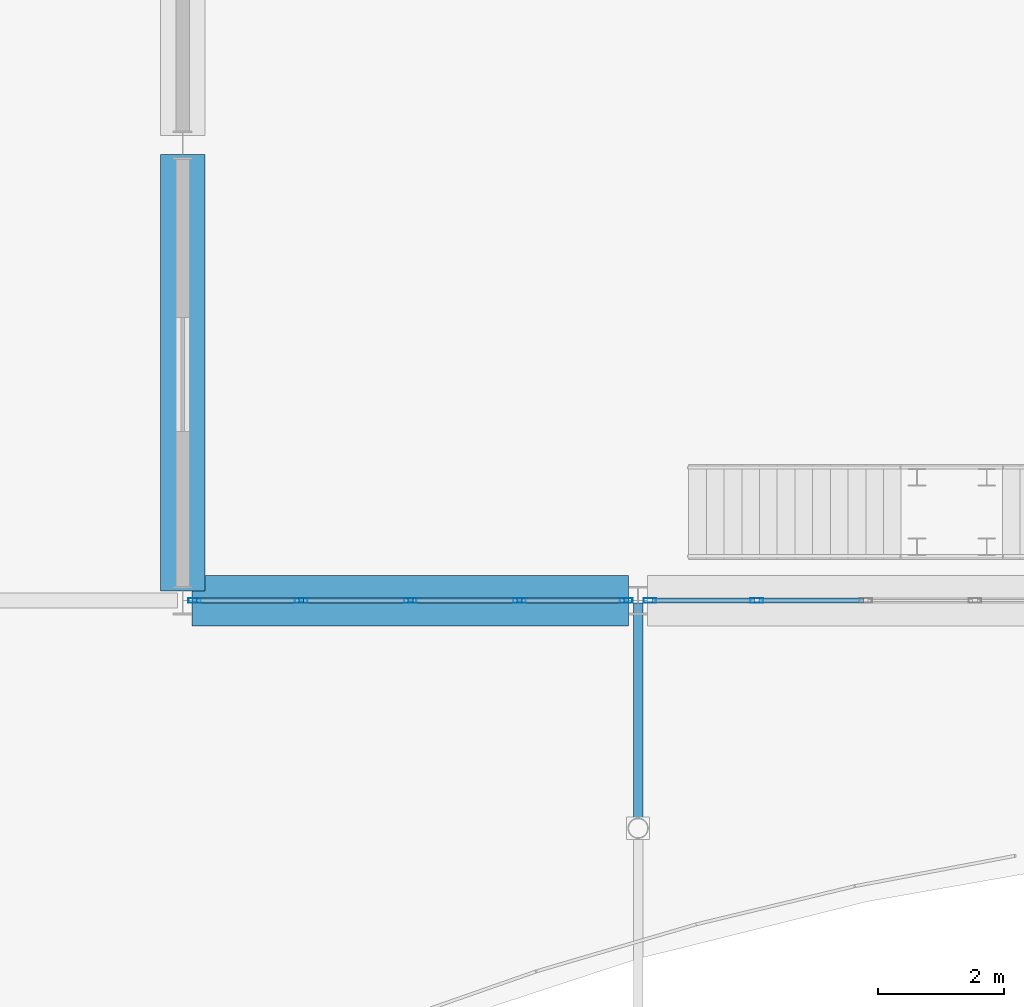
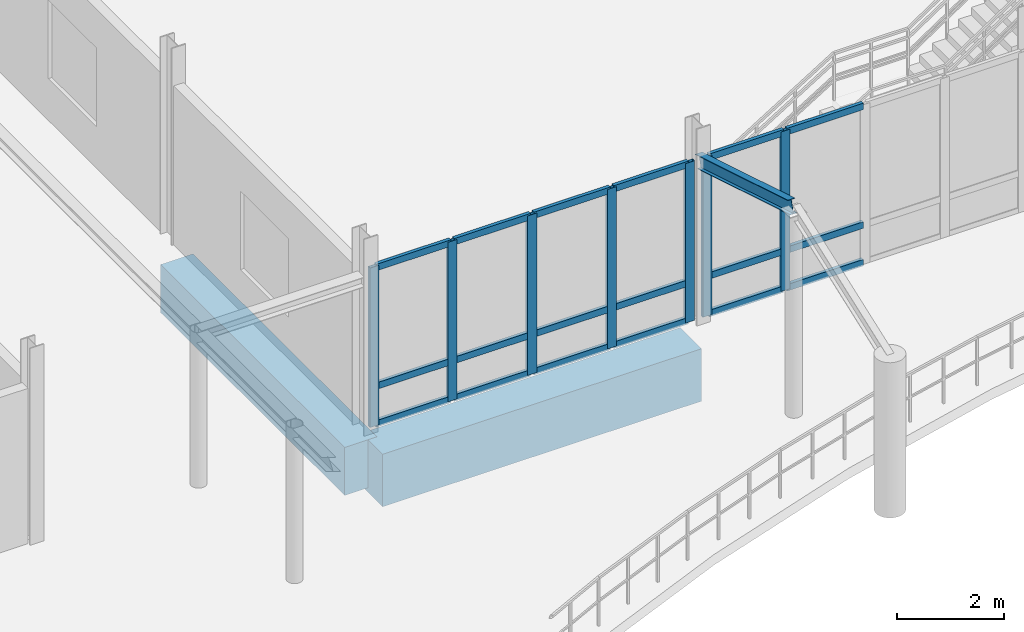
# One storey, part 37 of 139: 25 members, 3 beams, 2 elements without a shape of their own.
"""IFC4 building model written with IfcOpenShell, lengths in metres."""

from ifc_helpers import new_model, si_unit, direction, frame, origin, origin_2d, place, context, subcontext, project, spatial, rectangle, hollow_rectangle, i_section, extrude, material, material_profile, profile_set, type_object, element, aggregate, save


model = new_model("IFC4")

# Units and contexts
model_context = context("Model", 3, precision=1e-05, world=origin(), true_north=direction((0.0, 1.0)))
body_context = subcontext(model_context, "Body", "Model", "MODEL_VIEW")
ifc_project = project(units=[si_unit("LENGTHUNIT", "METRE"), si_unit("AREAUNIT", "SQUARE_METRE"), si_unit("VOLUMEUNIT", "CUBIC_METRE"), si_unit("PLANEANGLEUNIT", "RADIAN"), si_unit("MASSUNIT", "GRAM", prefix="KILO")], contexts=[model_context])

# Site, building, storey
site_placement = place(None, origin())
site = spatial("IfcSite", under=ifc_project, at=site_placement, CompositionType="ELEMENT")
building_placement = place(site_placement, origin())
building = spatial("IfcBuilding", under=site, at=building_placement, Name="Suanplinth Sawtooth Commons", CompositionType="ELEMENT")
storey_placement = place(building_placement, origin())
storey = spatial("IfcBuildingStorey", under=building, at=storey_placement, Name="L00", CompositionType="ELEMENT", Elevation=0.0)

# Beams
ifc_material_1 = material(Name="Concrete C40/50", Category="concrete")
ifc_material_profile_1 = material_profile(ifc_material_1, rectangle(XDim=0.800048828125, YDim=1.199951171875, at=origin_2d()), Name="RC-TG 800x1200")
ifc_profile_set_1 = profile_set([ifc_material_profile_1], Name="Concrete C40/50")
beam_type_1 = type_object("IfcBeamType", Name="B-01", PredefinedType="USERDEFINED", material=ifc_profile_set_1)
beam_1_placement = place(storey_placement, frame((64.949951171875, 50.39990234375, -1.010009765625), z_axis=(1.0, 0.0, 0.0), x_axis=(0.0, 1.0, 0.0)))
element("IfcBeam", 1, at=beam_1_placement, inside=storey, type_object=beam_type_1, Name="BMX-L00-HALL-9-7", ObjectType="GIRDER", PredefinedType="USERDEFINED", context=body_context, shape_type="SweptSolid", body=[
    extrude(rectangle(XDim=0.800048828125, YDim=1.199951171875, at=origin_2d()), origin(), (0.0, 0.0, 1.0), 6.900146484375),
])
ifc_material_profile_2 = material_profile(ifc_material_1, rectangle(XDim=0.699951171875, YDim=1.10009765625, at=origin_2d()), Name="RC-TG 700x1100")
ifc_profile_set_2 = profile_set([ifc_material_profile_2], Name="Concrete C40/50")
beam_type_2 = type_object("IfcBeamType", Name="B-02", PredefinedType="USERDEFINED", material=ifc_profile_set_2)
beam_2_placement = place(storey_placement, frame((64.800048828125, 50.550048828125, -0.9599609375), z_axis=(0.0, 1.0, 0.0), x_axis=(-1.0, 0.0, 0.0)))
element("IfcBeam", 2, at=beam_2_placement, inside=storey, type_object=beam_type_2, Name="BMY-L00-HALL-9-7", ObjectType="GIRDER", PredefinedType="USERDEFINED", context=body_context, shape_type="SweptSolid", body=[
    extrude(rectangle(XDim=0.699951171875, YDim=1.10009765625, at=origin_2d()), origin(), (0.0, 0.0, 1.0), 6.89990234375),
])
ifc_material_2 = material(Name="Steel S355JR", Category="steel")
ifc_material_profile_3 = material_profile(ifc_material_2, i_section(OverallWidth=0.14990234375, OverallDepth=0.300048828125, WebThickness=0.007080078125, FlangeThickness=0.0107421875, at=origin_2d()), Name="IPE 300")
ifc_profile_set_3 = profile_set([ifc_material_profile_3], Name="Steel S355JR")
beam_type_3 = type_object("IfcBeamType", Name="B-13", PredefinedType="BEAM", material=ifc_profile_set_3)
beam_3_placement = place(storey_placement, frame((72.0, 50.320068359375, 3.64990234375), z_axis=(0.0, -0.957135909973, 0.2896391718), x_axis=(1.0, 0.0, 0.0)))
element("IfcBeam", 3, at=beam_3_placement, inside=storey, type_object=beam_type_3, Name="Metro Portal Rafter N 11", PredefinedType="BEAM", context=body_context, shape_type="SweptSolid", body=[
    extrude(i_section(OverallWidth=0.14990234375, OverallDepth=0.300048828125, WebThickness=0.007080078125, FlangeThickness=0.0107421875, at=origin_2d()), origin(), (0.0, 0.0, 1.0), 3.62548828125),
])

# Curtain wall, members
ifc_material_3 = material(Name="Anodized aluminium and low-E glazing", Category="aluminium")
curtain_wall_type = type_object("IfcCurtainWallType", Name="CW-01", PredefinedType="USERDEFINED", material=ifc_material_3)
curtain_wall_1_placement = place(storey_placement, origin())
curtain_wall_1 = element("IfcCurtainWall", 4, at=curtain_wall_1_placement, inside=storey, type_object=curtain_wall_type, Name="Curtain Wall CW-L00-HALL-S-0", ObjectType="CURTAIN WALL", PredefinedType="USERDEFINED")
ifc_material_4 = material(Name="Anodized aluminium 6063-T6", Category="aluminium")
ifc_material_profile_4 = material_profile(ifc_material_4, hollow_rectangle(XDim=0.074951171875, YDim=0.199951171875, WallThickness=0.0048828125, at=origin_2d()), Name="ALU-MUL 75x200")
ifc_profile_set_4 = profile_set([ifc_material_profile_4], Name="Anodized aluminium 6063-T6")
member_type_1 = type_object("IfcMemberType", Name="M-14", PredefinedType="MULLION", material=ifc_profile_set_4)
member_1_placement = place(storey_placement, frame((64.987548828125, 50.39990234375, 0.0), z_axis=(0.0, 0.0, 1.0), x_axis=(0.0, 1.0, 0.0)))
member_1 = element("IfcMember", 5, at=member_1_placement, type_object=member_type_1, Name="CW-01 mullion 1", PredefinedType="MULLION", context=body_context, shape_type="SweptSolid", body=[
    extrude(hollow_rectangle(XDim=0.074951171875, YDim=0.199951171875, WallThickness=0.0048828125, at=origin_2d()), origin(), (0.0, 0.0, 1.0), 3.64990234375),
])
member_2_placement = place(storey_placement, frame((66.675048828125, 50.39990234375, 0.0), z_axis=(0.0, 0.0, 1.0), x_axis=(0.0, 1.0, 0.0)))
member_2 = element("IfcMember", 6, at=member_2_placement, type_object=member_type_1, Name="CW-01 mullion 2", PredefinedType="MULLION", context=body_context, shape_type="SweptSolid", body=[
    extrude(hollow_rectangle(XDim=0.074951171875, YDim=0.199951171875, WallThickness=0.0048828125, at=origin_2d()), origin(), (0.0, 0.0, 1.0), 3.64990234375),
])
member_3_placement = place(storey_placement, frame((68.39990234375, 50.39990234375, 0.0), z_axis=(0.0, 0.0, 1.0), x_axis=(0.0, 1.0, 0.0)))
member_3 = element("IfcMember", 7, at=member_3_placement, type_object=member_type_1, Name="CW-01 mullion 3", PredefinedType="MULLION", context=body_context, shape_type="SweptSolid", body=[
    extrude(hollow_rectangle(XDim=0.074951171875, YDim=0.199951171875, WallThickness=0.0048828125, at=origin_2d()), origin(), (0.0, 0.0, 1.0), 3.64990234375),
])
member_4_placement = place(storey_placement, frame((70.125, 50.39990234375, 0.0), z_axis=(0.0, 0.0, 1.0), x_axis=(0.0, 1.0, 0.0)))
member_4 = element("IfcMember", 8, at=member_4_placement, type_object=member_type_1, Name="CW-01 mullion 4", PredefinedType="MULLION", context=body_context, shape_type="SweptSolid", body=[
    extrude(hollow_rectangle(XDim=0.074951171875, YDim=0.199951171875, WallThickness=0.0048828125, at=origin_2d()), origin(), (0.0, 0.0, 1.0), 3.64990234375),
])
member_5_placement = place(storey_placement, frame((71.8125, 50.39990234375, 0.0), z_axis=(0.0, 0.0, 1.0), x_axis=(0.0, 1.0, 0.0)))
member_5 = element("IfcMember", 9, at=member_5_placement, type_object=member_type_1, Name="CW-01 mullion 5", PredefinedType="MULLION", context=body_context, shape_type="SweptSolid", body=[
    extrude(hollow_rectangle(XDim=0.074951171875, YDim=0.199951171875, WallThickness=0.0048828125, at=origin_2d()), origin(), (0.0, 0.0, 1.0), 3.64990234375),
])

curtain_wall_2_placement = place(storey_placement, origin())
curtain_wall_2 = element("IfcCurtainWall", 10, at=curtain_wall_2_placement, inside=storey, type_object=curtain_wall_type, Name="Curtain Wall CW-L00-HALL-S-1", ObjectType="CURTAIN WALL", PredefinedType="USERDEFINED")
member_6_placement = place(storey_placement, frame((72.1875, 50.39990234375, 0.0), z_axis=(0.0, 0.0, 1.0), x_axis=(0.0, 1.0, 0.0)))
member_6 = element("IfcMember", 11, at=member_6_placement, type_object=member_type_1, Name="CW-01 mullion 1", PredefinedType="MULLION", context=body_context, shape_type="SweptSolid", body=[
    extrude(hollow_rectangle(XDim=0.074951171875, YDim=0.199951171875, WallThickness=0.0048828125, at=origin_2d()), origin(), (0.0, 0.0, 1.0), 3.64990234375),
])
member_7_placement = place(storey_placement, frame((73.875, 50.39990234375, 0.0), z_axis=(0.0, 0.0, 1.0), x_axis=(0.0, 1.0, 0.0)))
member_7 = element("IfcMember", 12, at=member_7_placement, type_object=member_type_1, Name="CW-01 mullion 2", PredefinedType="MULLION", context=body_context, shape_type="SweptSolid", body=[
    extrude(hollow_rectangle(XDim=0.074951171875, YDim=0.199951171875, WallThickness=0.0048828125, at=origin_2d()), origin(), (0.0, 0.0, 1.0), 3.64990234375),
])

# Member
ifc_material_profile_5 = material_profile(ifc_material_4, hollow_rectangle(XDim=0.074951171875, YDim=0.14990234375, WallThickness=0.00439453125, at=origin_2d()), Name="ALU-TRN 75x150")
ifc_profile_set_5 = profile_set([ifc_material_profile_5], Name="Anodized aluminium 6063-T6")
member_type_2 = type_object("IfcMemberType", Name="M-16", PredefinedType="USERDEFINED", material=ifc_profile_set_5)
member_8_placement = place(storey_placement, frame((65.02490234375, 50.39990234375, 0.03759765625), z_axis=(1.0, 0.0, 0.0), x_axis=(0.0, 1.0, 0.0)))
member_8 = element("IfcMember", 13, at=member_8_placement, type_object=member_type_2, Name="CW-01 transom 1.1", ObjectType="TRANSOM", PredefinedType="USERDEFINED", context=body_context, shape_type="SweptSolid", body=[
    extrude(hollow_rectangle(XDim=0.074951171875, YDim=0.14990234375, WallThickness=0.00439453125, at=origin_2d()), origin(), (0.0, 0.0, 1.0), 1.612548828125),
])

member_9_placement = place(storey_placement, frame((65.02490234375, 50.39990234375, 0.89990234375), z_axis=(1.0, 0.0, 0.0), x_axis=(0.0, 1.0, 0.0)))
member_9 = element("IfcMember", 14, at=member_9_placement, type_object=member_type_2, Name="CW-01 transom 1.2", ObjectType="TRANSOM", PredefinedType="USERDEFINED", context=body_context, shape_type="SweptSolid", body=[
    extrude(hollow_rectangle(XDim=0.074951171875, YDim=0.14990234375, WallThickness=0.00439453125, at=origin_2d()), origin(), (0.0, 0.0, 1.0), 1.612548828125),
])

member_10_placement = place(storey_placement, frame((65.02490234375, 50.39990234375, 3.612548828125), z_axis=(1.0, 0.0, 0.0), x_axis=(0.0, 1.0, 0.0)))
member_10 = element("IfcMember", 15, at=member_10_placement, type_object=member_type_2, Name="CW-01 transom 1.3", ObjectType="TRANSOM", PredefinedType="USERDEFINED", context=body_context, shape_type="SweptSolid", body=[
    extrude(hollow_rectangle(XDim=0.074951171875, YDim=0.14990234375, WallThickness=0.00439453125, at=origin_2d()), origin(), (0.0, 0.0, 1.0), 1.612548828125),
])

member_11_placement = place(storey_placement, frame((66.71240234375, 50.39990234375, 0.03759765625), z_axis=(1.0, 0.0, 0.0), x_axis=(0.0, 1.0, 0.0)))
member_11 = element("IfcMember", 16, at=member_11_placement, type_object=member_type_2, Name="CW-01 transom 2.1", ObjectType="TRANSOM", PredefinedType="USERDEFINED", context=body_context, shape_type="SweptSolid", body=[
    extrude(hollow_rectangle(XDim=0.074951171875, YDim=0.14990234375, WallThickness=0.00439453125, at=origin_2d()), origin(), (0.0, 0.0, 1.0), 1.650146484375),
])

member_12_placement = place(storey_placement, frame((66.71240234375, 50.39990234375, 0.89990234375), z_axis=(1.0, 0.0, 0.0), x_axis=(0.0, 1.0, 0.0)))
member_12 = element("IfcMember", 17, at=member_12_placement, type_object=member_type_2, Name="CW-01 transom 2.2", ObjectType="TRANSOM", PredefinedType="USERDEFINED", context=body_context, shape_type="SweptSolid", body=[
    extrude(hollow_rectangle(XDim=0.074951171875, YDim=0.14990234375, WallThickness=0.00439453125, at=origin_2d()), origin(), (0.0, 0.0, 1.0), 1.650146484375),
])

member_13_placement = place(storey_placement, frame((66.71240234375, 50.39990234375, 3.612548828125), z_axis=(1.0, 0.0, 0.0), x_axis=(0.0, 1.0, 0.0)))
member_13 = element("IfcMember", 18, at=member_13_placement, type_object=member_type_2, Name="CW-01 transom 2.3", ObjectType="TRANSOM", PredefinedType="USERDEFINED", context=body_context, shape_type="SweptSolid", body=[
    extrude(hollow_rectangle(XDim=0.074951171875, YDim=0.14990234375, WallThickness=0.00439453125, at=origin_2d()), origin(), (0.0, 0.0, 1.0), 1.650146484375),
])

member_14_placement = place(storey_placement, frame((68.4375, 50.39990234375, 0.03759765625), z_axis=(1.0, 0.0, 0.0), x_axis=(0.0, 1.0, 0.0)))
member_14 = element("IfcMember", 19, at=member_14_placement, type_object=member_type_2, Name="CW-01 transom 3.1", ObjectType="TRANSOM", PredefinedType="USERDEFINED", context=body_context, shape_type="SweptSolid", body=[
    extrude(hollow_rectangle(XDim=0.074951171875, YDim=0.14990234375, WallThickness=0.00439453125, at=origin_2d()), origin(), (0.0, 0.0, 1.0), 1.64990234375),
])

member_15_placement = place(storey_placement, frame((68.4375, 50.39990234375, 0.89990234375), z_axis=(1.0, 0.0, 0.0), x_axis=(0.0, 1.0, 0.0)))
member_15 = element("IfcMember", 20, at=member_15_placement, type_object=member_type_2, Name="CW-01 transom 3.2", ObjectType="TRANSOM", PredefinedType="USERDEFINED", context=body_context, shape_type="SweptSolid", body=[
    extrude(hollow_rectangle(XDim=0.074951171875, YDim=0.14990234375, WallThickness=0.00439453125, at=origin_2d()), origin(), (0.0, 0.0, 1.0), 1.64990234375),
])

member_16_placement = place(storey_placement, frame((68.4375, 50.39990234375, 3.612548828125), z_axis=(1.0, 0.0, 0.0), x_axis=(0.0, 1.0, 0.0)))
member_16 = element("IfcMember", 21, at=member_16_placement, type_object=member_type_2, Name="CW-01 transom 3.3", ObjectType="TRANSOM", PredefinedType="USERDEFINED", context=body_context, shape_type="SweptSolid", body=[
    extrude(hollow_rectangle(XDim=0.074951171875, YDim=0.14990234375, WallThickness=0.00439453125, at=origin_2d()), origin(), (0.0, 0.0, 1.0), 1.64990234375),
])

member_17_placement = place(storey_placement, frame((70.16259765625, 50.39990234375, 0.03759765625), z_axis=(1.0, 0.0, 0.0), x_axis=(0.0, 1.0, 0.0)))
member_17 = element("IfcMember", 22, at=member_17_placement, type_object=member_type_2, Name="CW-01 transom 4.1", ObjectType="TRANSOM", PredefinedType="USERDEFINED", context=body_context, shape_type="SweptSolid", body=[
    extrude(hollow_rectangle(XDim=0.074951171875, YDim=0.14990234375, WallThickness=0.00439453125, at=origin_2d()), origin(), (0.0, 0.0, 1.0), 1.6123046875),
])

member_18_placement = place(storey_placement, frame((70.16259765625, 50.39990234375, 0.89990234375), z_axis=(1.0, 0.0, 0.0), x_axis=(0.0, 1.0, 0.0)))
member_18 = element("IfcMember", 23, at=member_18_placement, type_object=member_type_2, Name="CW-01 transom 4.2", ObjectType="TRANSOM", PredefinedType="USERDEFINED", context=body_context, shape_type="SweptSolid", body=[
    extrude(hollow_rectangle(XDim=0.074951171875, YDim=0.14990234375, WallThickness=0.00439453125, at=origin_2d()), origin(), (0.0, 0.0, 1.0), 1.6123046875),
])

member_19_placement = place(storey_placement, frame((70.16259765625, 50.39990234375, 3.612548828125), z_axis=(1.0, 0.0, 0.0), x_axis=(0.0, 1.0, 0.0)))
member_19 = element("IfcMember", 24, at=member_19_placement, type_object=member_type_2, Name="CW-01 transom 4.3", ObjectType="TRANSOM", PredefinedType="USERDEFINED", context=body_context, shape_type="SweptSolid", body=[
    extrude(hollow_rectangle(XDim=0.074951171875, YDim=0.14990234375, WallThickness=0.00439453125, at=origin_2d()), origin(), (0.0, 0.0, 1.0), 1.6123046875),
])

aggregate(curtain_wall_1, [member_1, member_2, member_3, member_4, member_5, member_8, member_9, member_10, member_11, member_12, member_13, member_14, member_15, member_16, member_17, member_18, member_19])

member_20_placement = place(storey_placement, frame((72.22509765625, 50.39990234375, 0.03759765625), z_axis=(1.0, 0.0, 0.0), x_axis=(0.0, 1.0, 0.0)))
member_20 = element("IfcMember", 25, at=member_20_placement, type_object=member_type_2, Name="CW-01 transom 1.1", ObjectType="TRANSOM", PredefinedType="USERDEFINED", context=body_context, shape_type="SweptSolid", body=[
    extrude(hollow_rectangle(XDim=0.074951171875, YDim=0.14990234375, WallThickness=0.00439453125, at=origin_2d()), origin(), (0.0, 0.0, 1.0), 1.6123046875),
])

member_21_placement = place(storey_placement, frame((72.22509765625, 50.39990234375, 0.89990234375), z_axis=(1.0, 0.0, 0.0), x_axis=(0.0, 1.0, 0.0)))
member_21 = element("IfcMember", 26, at=member_21_placement, type_object=member_type_2, Name="CW-01 transom 1.2", ObjectType="TRANSOM", PredefinedType="USERDEFINED", context=body_context, shape_type="SweptSolid", body=[
    extrude(hollow_rectangle(XDim=0.074951171875, YDim=0.14990234375, WallThickness=0.00439453125, at=origin_2d()), origin(), (0.0, 0.0, 1.0), 1.6123046875),
])

member_22_placement = place(storey_placement, frame((72.22509765625, 50.39990234375, 3.612548828125), z_axis=(1.0, 0.0, 0.0), x_axis=(0.0, 1.0, 0.0)))
member_22 = element("IfcMember", 27, at=member_22_placement, type_object=member_type_2, Name="CW-01 transom 1.3", ObjectType="TRANSOM", PredefinedType="USERDEFINED", context=body_context, shape_type="SweptSolid", body=[
    extrude(hollow_rectangle(XDim=0.074951171875, YDim=0.14990234375, WallThickness=0.00439453125, at=origin_2d()), origin(), (0.0, 0.0, 1.0), 1.6123046875),
])

member_23_placement = place(storey_placement, frame((73.91259765625, 50.39990234375, 0.03759765625), z_axis=(1.0, 0.0, 0.0), x_axis=(0.0, 1.0, 0.0)))
member_23 = element("IfcMember", 28, at=member_23_placement, type_object=member_type_2, Name="CW-01 transom 2.1", ObjectType="TRANSOM", PredefinedType="USERDEFINED", context=body_context, shape_type="SweptSolid", body=[
    extrude(hollow_rectangle(XDim=0.074951171875, YDim=0.14990234375, WallThickness=0.00439453125, at=origin_2d()), origin(), (0.0, 0.0, 1.0), 1.64990234375),
])

member_24_placement = place(storey_placement, frame((73.91259765625, 50.39990234375, 0.89990234375), z_axis=(1.0, 0.0, 0.0), x_axis=(0.0, 1.0, 0.0)))
member_24 = element("IfcMember", 29, at=member_24_placement, type_object=member_type_2, Name="CW-01 transom 2.2", ObjectType="TRANSOM", PredefinedType="USERDEFINED", context=body_context, shape_type="SweptSolid", body=[
    extrude(hollow_rectangle(XDim=0.074951171875, YDim=0.14990234375, WallThickness=0.00439453125, at=origin_2d()), origin(), (0.0, 0.0, 1.0), 1.64990234375),
])

member_25_placement = place(storey_placement, frame((73.91259765625, 50.39990234375, 3.612548828125), z_axis=(1.0, 0.0, 0.0), x_axis=(0.0, 1.0, 0.0)))
member_25 = element("IfcMember", 30, at=member_25_placement, type_object=member_type_2, Name="CW-01 transom 2.3", ObjectType="TRANSOM", PredefinedType="USERDEFINED", context=body_context, shape_type="SweptSolid", body=[
    extrude(hollow_rectangle(XDim=0.074951171875, YDim=0.14990234375, WallThickness=0.00439453125, at=origin_2d()), origin(), (0.0, 0.0, 1.0), 1.64990234375),
])

aggregate(curtain_wall_2, [member_6, member_7, member_20, member_21, member_22, member_23, member_24, member_25])

save(model, "model.ifc")
